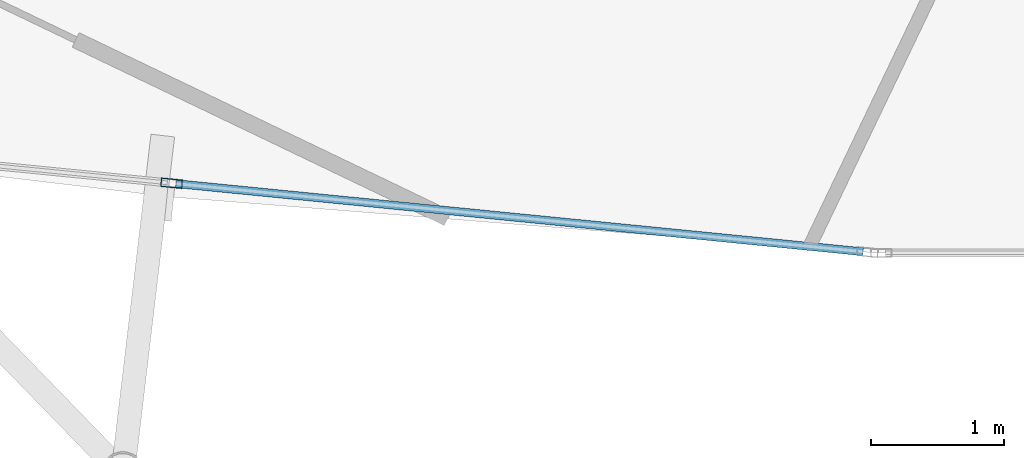
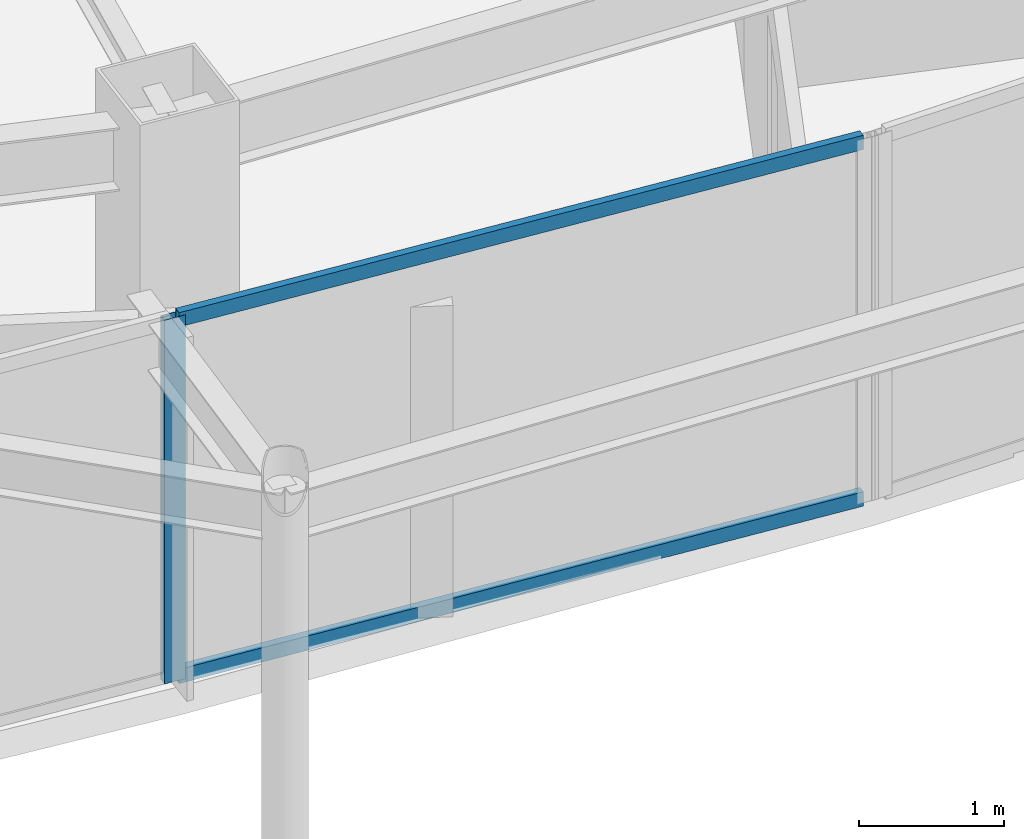
# One storey, part 4 of 33: 3 members, 1 element without a shape of its own.
"""IFC4 building model written with IfcOpenShell, lengths in metres."""

from ifc_helpers import new_model, si_unit, direction, frame, origin, origin_2d, place, context, subcontext, project, spatial, hollow_rectangle, extrude, material, layer, layer_set, material_profile, profile_set, type_object, element, aggregate, save


model = new_model("IFC4")

# Units and contexts
model_context = context("Model", 3, precision=1e-05, world=origin(), true_north=direction((0.0, 1.0)))
body_context = subcontext(model_context, "Body", "Model", "MODEL_VIEW")
ifc_project = project(units=[si_unit("LENGTHUNIT", "METRE"), si_unit("AREAUNIT", "SQUARE_METRE"), si_unit("VOLUMEUNIT", "CUBIC_METRE"), si_unit("PLANEANGLEUNIT", "RADIAN"), si_unit("MASSUNIT", "GRAM", prefix="KILO")], contexts=[model_context])

# Site, building, storey
site_placement = place(None, origin())
site = spatial("IfcSite", under=ifc_project, at=site_placement, CompositionType="ELEMENT")
building_placement = place(site_placement, origin())
building = spatial("IfcBuilding", under=site, at=building_placement, Name="Orvanel Arch Residences", CompositionType="ELEMENT")
storey_placement = place(building_placement, frame((0.0, 0.0, 209.60009765625)))
storey = spatial("IfcBuildingStorey", under=building, at=storey_placement, Name="L59", CompositionType="ELEMENT", Elevation=209.60009765625)

# Curtain wall, members
ifc_material = material(Name="Bronze-anodised aluminium AA6063-T6", Category="aluminium")
ifc_layer = layer(ifc_material, 0.175048828125)
ifc_layer_set = layer_set([ifc_layer], Name="Bronze-anodised aluminium AA6063-T6")
curtain_wall_type = type_object("IfcCurtainWallType", Name="CW4-HI-SYS", PredefinedType="NOTDEFINED", material=ifc_layer_set)
curtain_wall_placement = place(storey_placement, origin())
curtain_wall = element("IfcCurtainWall", 1, at=curtain_wall_placement, inside=storey, type_object=curtain_wall_type, Name="L59 CW4-HI-SYS Unitised Curtain Wall", PredefinedType="NOTDEFINED")
ifc_material_profile_1 = material_profile(ifc_material, hollow_rectangle(XDim=0.06494140625, YDim=0.159912109375, WallThickness=0.00390625, at=origin_2d()), Name="ALU160x65x4")
ifc_profile_set_1 = profile_set([ifc_material_profile_1], Name="Bronze-anodised aluminium AA6063-T6")
member_type_1 = type_object("IfcMemberType", Name="MUL-160x65", PredefinedType="MULLION", material=ifc_profile_set_1)
member_1_placement = place(storey_placement, frame((22.466064453125, 5.22900390625, 0.0), z_axis=(0.0, 0.0, 1.0), x_axis=(0.098621122229, 0.995125054579, 0.0)))
member_1 = element("IfcMember", 2, at=member_1_placement, type_object=member_type_1, Name="CW-S4 mullion 2", PredefinedType="MULLION", context=body_context, shape_type="SweptSolid", body=[
    extrude(hollow_rectangle(XDim=0.06494140625, YDim=0.159912109375, WallThickness=0.00390625, at=origin_2d()), origin(), (0.0, 0.0, 1.0), 3.059814453125),
])
ifc_material_profile_2 = material_profile(ifc_material, hollow_rectangle(XDim=0.06005859375, YDim=0.1201171875, WallThickness=0.00341796875, at=origin_2d()), Name="ALU120x60x3.5")
ifc_profile_set_2 = profile_set([ifc_material_profile_2], Name="Bronze-anodised aluminium AA6063-T6")
member_type_2 = type_object("IfcMemberType", Name="TRN-120x60", PredefinedType="USERDEFINED", material=ifc_profile_set_2)
member_2_placement = place(storey_placement, frame((22.498291015625, 5.225830078125, 0.02978515625), z_axis=(0.995123221795, -0.098639613974, 0.0), x_axis=(0.098639613974, 0.995123221795, 0.0)))
member_2 = element("IfcMember", 3, at=member_2_placement, type_object=member_type_2, Name="CW-S4 transom 2.1", ObjectType="TRANSOM", PredefinedType="USERDEFINED", context=body_context, shape_type="SweptSolid", body=[
    extrude(hollow_rectangle(XDim=0.06005859375, YDim=0.1201171875, WallThickness=0.00341796875, at=origin_2d()), origin(), (0.0, 0.0, 1.0), 5.17529296875),
])
member_3_placement = place(storey_placement, frame((22.498291015625, 5.225830078125, 3.02978515625), z_axis=(0.995123221795, -0.098639613974, 0.0), x_axis=(0.098639613974, 0.995123221795, 0.0)))
member_3 = element("IfcMember", 4, at=member_3_placement, type_object=member_type_2, Name="CW-S4 transom 2.2", ObjectType="TRANSOM", PredefinedType="USERDEFINED", context=body_context, shape_type="SweptSolid", body=[
    extrude(hollow_rectangle(XDim=0.06005859375, YDim=0.1201171875, WallThickness=0.00341796875, at=origin_2d()), origin(), (0.0, 0.0, 1.0), 5.17529296875),
])
aggregate(curtain_wall, [member_1, member_2, member_3])

save(model, "model.ifc")
